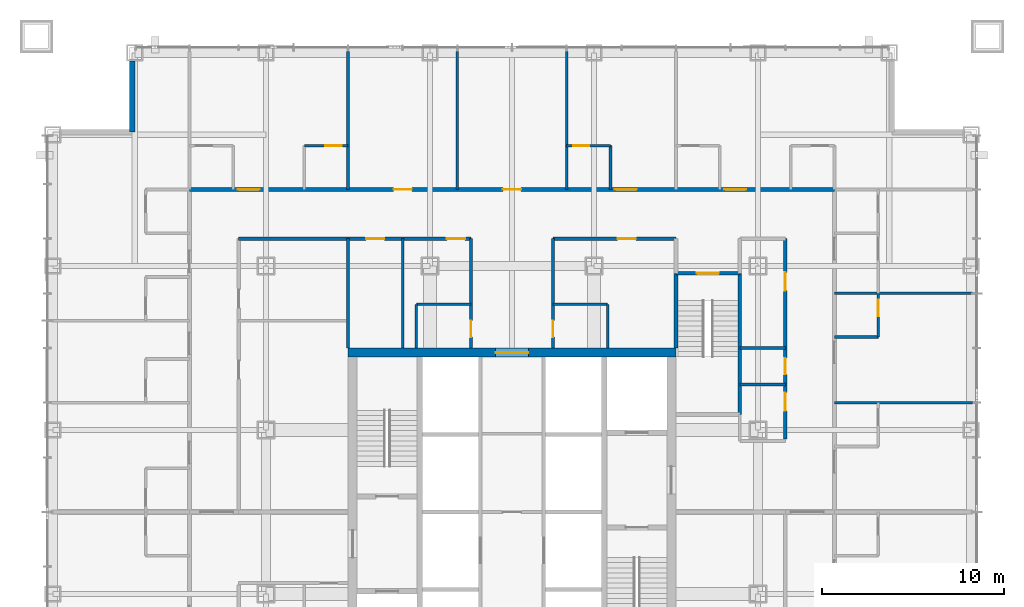
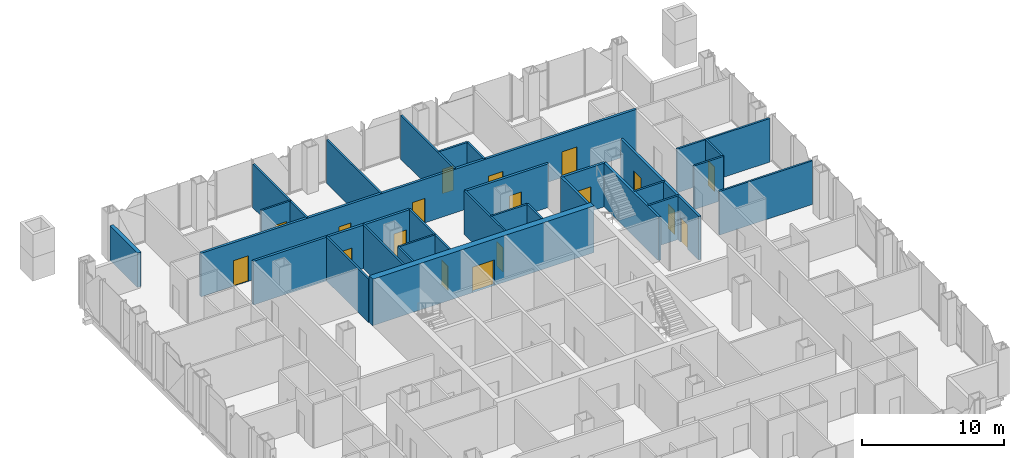
# One storey, part 11 of 23: 29 walls, 18 doors, 18 openings.
"""IFC4 building model written with IfcOpenShell, lengths in metres."""

from ifc_helpers import new_model, si_unit, direction, frame, frame_2d, origin, place, context, subcontext, project, spatial, rectangle, extrude, material, layer, layer_set, type_object, element, fill, save


model = new_model("IFC4")

# Units and contexts
model_context = context("Model", 3, precision=1e-05, world=origin(), true_north=direction((0.0, 1.0)))
body_context = subcontext(model_context, "Body", "Model", "MODEL_VIEW")
ifc_project = project(units=[si_unit("LENGTHUNIT", "METRE"), si_unit("AREAUNIT", "SQUARE_METRE"), si_unit("VOLUMEUNIT", "CUBIC_METRE"), si_unit("PLANEANGLEUNIT", "RADIAN"), si_unit("MASSUNIT", "GRAM", prefix="KILO")], contexts=[model_context])

# Site, building, storey
site_placement = place(None, origin())
site = spatial("IfcSite", under=ifc_project, at=site_placement, CompositionType="ELEMENT")
building_placement = place(site_placement, origin())
building = spatial("IfcBuilding", under=site, at=building_placement, Name="Malebo Sky Hospital", CompositionType="ELEMENT")
storey_placement = place(building_placement, frame((0.0, 0.0, 91.0)))
storey = spatial("IfcBuildingStorey", under=building, at=storey_placement, Name="L21", CompositionType="ELEMENT", Elevation=91.0)

# Wall, opening, door
ifc_material_1 = material(Name="Concrete C80/95", Category="concrete")
ifc_layer_1 = layer(ifc_material_1, 0.5)
ifc_layer_set_1 = layer_set([ifc_layer_1], Name="CORE WALL 500")
wall_type_1 = type_object("IfcWallType", Name="CORE WALL 500", PredefinedType="SHEAR", material=ifc_layer_set_1)
wall_1_placement = place(storey_placement, frame((51.0, 70.75, 0.0), z_axis=(0.0, 0.0, 1.0), x_axis=(1.0, 0.0, 0.0)))
wall_1 = element("IfcWall", 1, at=wall_1_placement, inside=storey, type_object=wall_type_1, Name="Core wall N L21", PredefinedType="SHEAR", context=body_context, shape_type="SweptSolid", body=[
    extrude(rectangle(XDim=18.0, YDim=0.5, at=frame_2d((9.0, 0.0))), origin(), (0.0, 0.0, 1.0), 4.0),
])
opening_1_placement = place(wall_1_placement, frame((8.10009765625, 0.0, 0.0)))
opening_1 = element("IfcOpeningElement", 2, at=opening_1_placement, cuts=wall_1, Name="Opening D06", PredefinedType="OPENING", context=body_context, shape_type="SweptSolid", body=[
    extrude(rectangle(XDim=1.800048828125, YDim=2.199951171875, at=frame_2d((0.89990234375, 1.10009765625))), frame((0.0, 0.260009765625, 0.0), z_axis=(0.0, -1.0, 0.0), x_axis=(1.0, 0.0, 0.0)), (0.0, 0.0, 1.0), 0.52001953125),
])
ifc_material_2 = material(Name="Hardwood-faced door leaf in steel frame", Category="steel")
door_type_1 = type_object("IfcDoorType", Name="LOBBY DOOR PAIR 1800", OperationType="DOUBLE_DOOR_SINGLE_SWING", PredefinedType="DOOR", material=ifc_material_2)
door_1_placement = place(opening_1_placement, origin())
door_1 = element("IfcDoor", 3, at=door_1_placement, inside=storey, type_object=door_type_1, Name="ward pantry door north", OperationType="DOUBLE_DOOR_SINGLE_SWING", OverallHeight=2.199951171875, OverallWidth=1.800048828125, PredefinedType="DOOR", context=body_context, shape_type="SweptSolid", body=[
    extrude(rectangle(XDim=1.800048828125, YDim=2.199951171875, at=frame_2d((0.89990234375, 1.10009765625))), frame((0.0, 0.02490234375, 0.0), z_axis=(0.0, -1.0, 0.0), x_axis=(1.0, 0.0, 0.0)), (0.0, 0.0, 1.0), 0.050048828125),
])
fill(opening_1, door_1)

# Wall, openings, doors
ifc_material_3 = material(Name="Gypsum board on steel studs", Category="steel")
ifc_layer_2 = layer(ifc_material_3, 0.199951171875)
ifc_layer_set_2 = layer_set([ifc_layer_2], Name="CORRIDOR WALL 200")
wall_type_2 = type_object("IfcWallType", Name="CORRIDOR WALL 200", PredefinedType="PARTITIONING", material=ifc_layer_set_2)
wall_2_placement = place(storey_placement, frame((42.300048828125, 79.699951171875, 0.0), z_axis=(0.0, 0.0, 1.0), x_axis=(1.0, 0.0, 0.0)))
wall_2 = element("IfcWall", 4, at=wall_2_placement, inside=storey, type_object=wall_type_2, Name="Corridor Wall 200 NCO", PredefinedType="PARTITIONING", context=body_context, shape_type="SweptSolid", body=[
    extrude(rectangle(XDim=35.39990234375, YDim=0.199951171875, at=frame_2d((17.699951171875, 0.0))), origin(), (0.0, 0.0, 1.0), 3.75),
])
opening_2_placement = place(wall_2_placement, frame((2.64990234375, 0.0, 0.0)))
opening_2 = element("IfcOpeningElement", 5, at=opening_2_placement, cuts=wall_2, Name="Opening D01", PredefinedType="OPENING", context=body_context, shape_type="SweptSolid", body=[
    extrude(rectangle(XDim=1.199951171875, YDim=2.199951171875, at=frame_2d((0.60009765625, 1.10009765625))), frame((0.0, 0.10986328125, 0.0), z_axis=(0.0, -1.0, 0.0), x_axis=(1.0, 0.0, 0.0)), (0.0, 0.0, 1.0), 0.219970703125),
])
opening_3_placement = place(wall_2_placement, frame((11.199951171875, 0.0, 0.0)))
opening_3 = element("IfcOpeningElement", 6, at=opening_3_placement, cuts=wall_2, Name="Opening D03", PredefinedType="OPENING", context=body_context, shape_type="SweptSolid", body=[
    extrude(rectangle(XDim=1.0, YDim=2.10009765625, at=frame_2d((0.5, 1.050048828125))), frame((0.0, 0.10986328125, 0.0), z_axis=(0.0, -1.0, 0.0), x_axis=(1.0, 0.0, 0.0)), (0.0, 0.0, 1.0), 0.219970703125),
])
opening_4_placement = place(wall_2_placement, frame((17.199951171875, 0.0, 0.0)))
opening_4 = element("IfcOpeningElement", 7, at=opening_4_placement, cuts=wall_2, Name="Opening D03", PredefinedType="OPENING", context=body_context, shape_type="SweptSolid", body=[
    extrude(rectangle(XDim=1.0, YDim=2.10009765625, at=frame_2d((0.5, 1.050048828125))), frame((0.0, 0.10986328125, 0.0), z_axis=(0.0, -1.0, 0.0), x_axis=(1.0, 0.0, 0.0)), (0.0, 0.0, 1.0), 0.219970703125),
])
opening_5_placement = place(wall_2_placement, frame((23.35009765625, 0.0, 0.0)))
opening_5 = element("IfcOpeningElement", 8, at=opening_5_placement, cuts=wall_2, Name="Opening D01", PredefinedType="OPENING", context=body_context, shape_type="SweptSolid", body=[
    extrude(rectangle(XDim=1.199951171875, YDim=2.199951171875, at=frame_2d((0.60009765625, 1.10009765625))), frame((0.0, 0.10986328125, 0.0), z_axis=(0.0, -1.0, 0.0), x_axis=(1.0, 0.0, 0.0)), (0.0, 0.0, 1.0), 0.219970703125),
])
opening_6_placement = place(wall_2_placement, frame((29.35009765625, 0.0, 0.0)))
opening_6 = element("IfcOpeningElement", 9, at=opening_6_placement, cuts=wall_2, Name="Opening D01", PredefinedType="OPENING", context=body_context, shape_type="SweptSolid", body=[
    extrude(rectangle(XDim=1.199951171875, YDim=2.199951171875, at=frame_2d((0.60009765625, 1.10009765625))), frame((0.0, 0.10986328125, 0.0), z_axis=(0.0, -1.0, 0.0), x_axis=(1.0, 0.0, 0.0)), (0.0, 0.0, 1.0), 0.219970703125),
])
door_type_2 = type_object("IfcDoorType", Name="BED DOOR 1200", OperationType="SINGLE_SWING_LEFT", PredefinedType="DOOR", material=ifc_material_2)
door_2_placement = place(opening_2_placement, origin())
door_2 = element("IfcDoor", 10, at=door_2_placement, inside=storey, type_object=door_type_2, Name="Four-bed bay door", OperationType="SINGLE_SWING_LEFT", OverallHeight=2.199951171875, OverallWidth=1.199951171875, PredefinedType="DOOR", context=body_context, shape_type="SweptSolid", body=[
    extrude(rectangle(XDim=1.199951171875, YDim=2.199951171875, at=frame_2d((0.60009765625, 1.10009765625))), frame((0.0, 0.02490234375, 0.0), z_axis=(0.0, -1.0, 0.0), x_axis=(1.0, 0.0, 0.0)), (0.0, 0.0, 1.0), 0.050048828125),
])
fill(opening_2, door_2)
door_3_placement = place(opening_5_placement, origin())
door_3 = element("IfcDoor", 11, at=door_3_placement, inside=storey, type_object=door_type_2, Name="Two-bed room door", OperationType="SINGLE_SWING_LEFT", OverallHeight=2.199951171875, OverallWidth=1.199951171875, PredefinedType="DOOR", context=body_context, shape_type="SweptSolid", body=[
    extrude(rectangle(XDim=1.199951171875, YDim=2.199951171875, at=frame_2d((0.60009765625, 1.10009765625))), frame((0.0, 0.02490234375, 0.0), z_axis=(0.0, -1.0, 0.0), x_axis=(1.0, 0.0, 0.0)), (0.0, 0.0, 1.0), 0.050048828125),
])
fill(opening_5, door_3)
door_4_placement = place(opening_6_placement, origin())
door_4 = element("IfcDoor", 12, at=door_4_placement, inside=storey, type_object=door_type_2, Name="Four-bed bay door", OperationType="SINGLE_SWING_LEFT", OverallHeight=2.199951171875, OverallWidth=1.199951171875, PredefinedType="DOOR", context=body_context, shape_type="SweptSolid", body=[
    extrude(rectangle(XDim=1.199951171875, YDim=2.199951171875, at=frame_2d((0.60009765625, 1.10009765625))), frame((0.0, 0.02490234375, 0.0), z_axis=(0.0, -1.0, 0.0), x_axis=(1.0, 0.0, 0.0)), (0.0, 0.0, 1.0), 0.050048828125),
])
fill(opening_6, door_4)
door_type_3 = type_object("IfcDoorType", Name="ROOM DOOR 1000", OperationType="SINGLE_SWING_LEFT", PredefinedType="DOOR", material=ifc_material_2)
door_5_placement = place(opening_3_placement, origin())
door_5 = element("IfcDoor", 13, at=door_5_placement, inside=storey, type_object=door_type_3, Name="Family room door", OperationType="SINGLE_SWING_LEFT", OverallHeight=2.10009765625, OverallWidth=1.0, PredefinedType="DOOR", context=body_context, shape_type="SweptSolid", body=[
    extrude(rectangle(XDim=1.0, YDim=2.10009765625, at=frame_2d((0.5, 1.050048828125))), frame((0.0, 0.02490234375, 0.0), z_axis=(0.0, -1.0, 0.0), x_axis=(1.0, 0.0, 0.0)), (0.0, 0.0, 1.0), 0.050048828125),
])
fill(opening_3, door_5)
door_6_placement = place(opening_4_placement, origin())
door_6 = element("IfcDoor", 14, at=door_6_placement, inside=storey, type_object=door_type_3, Name="Quiet room door", OperationType="SINGLE_SWING_LEFT", OverallHeight=2.10009765625, OverallWidth=1.0, PredefinedType="DOOR", context=body_context, shape_type="SweptSolid", body=[
    extrude(rectangle(XDim=1.0, YDim=2.10009765625, at=frame_2d((0.5, 1.050048828125))), frame((0.0, 0.02490234375, 0.0), z_axis=(0.0, -1.0, 0.0), x_axis=(1.0, 0.0, 0.0)), (0.0, 0.0, 1.0), 0.050048828125),
])
fill(opening_4, door_6)

wall_3_placement = place(storey_placement, frame((45.0, 77.0, 0.0), z_axis=(0.0, 0.0, 1.0), x_axis=(1.0, 0.0, 0.0)))
wall_3 = element("IfcWall", 15, at=wall_3_placement, inside=storey, type_object=wall_type_2, Name="Corridor Wall 200 NCI1", PredefinedType="PARTITIONING", context=body_context, shape_type="SweptSolid", body=[
    extrude(rectangle(XDim=12.75, YDim=0.199951171875, at=frame_2d((6.375, 0.0))), origin(), (0.0, 0.0, 1.0), 3.75),
])
opening_7_placement = place(wall_3_placement, frame((7.0, 0.0, 0.0)))
opening_7 = element("IfcOpeningElement", 16, at=opening_7_placement, cuts=wall_3, Name="Opening D03", PredefinedType="OPENING", context=body_context, shape_type="SweptSolid", body=[
    extrude(rectangle(XDim=1.0, YDim=2.10009765625, at=frame_2d((0.5, 1.050048828125))), frame((0.0, 0.10986328125, 0.0), z_axis=(0.0, -1.0, 0.0), x_axis=(1.0, 0.0, 0.0)), (0.0, 0.0, 1.0), 0.219970703125),
])
opening_8_placement = place(wall_3_placement, frame((11.425048828125, 0.0, 0.0)))
opening_8 = element("IfcOpeningElement", 17, at=opening_8_placement, cuts=wall_3, Name="Opening D03", PredefinedType="OPENING", context=body_context, shape_type="SweptSolid", body=[
    extrude(rectangle(XDim=1.0, YDim=2.10009765625, at=frame_2d((0.5, 1.050048828125))), frame((0.0, 0.10986328125, 0.0), z_axis=(0.0, -1.0, 0.0), x_axis=(1.0, 0.0, 0.0)), (0.0, 0.0, 1.0), 0.219970703125),
])
door_7_placement = place(opening_7_placement, origin())
door_7 = element("IfcDoor", 18, at=door_7_placement, inside=storey, type_object=door_type_3, Name="Wheelchair store door", OperationType="SINGLE_SWING_LEFT", OverallHeight=2.10009765625, OverallWidth=1.0, PredefinedType="DOOR", context=body_context, shape_type="SweptSolid", body=[
    extrude(rectangle(XDim=1.0, YDim=2.10009765625, at=frame_2d((0.5, 1.050048828125))), frame((0.0, 0.02490234375, 0.0), z_axis=(0.0, -1.0, 0.0), x_axis=(1.0, 0.0, 0.0)), (0.0, 0.0, 1.0), 0.050048828125),
])
fill(opening_7, door_7)
door_8_placement = place(opening_8_placement, origin())
door_8 = element("IfcDoor", 19, at=door_8_placement, inside=storey, type_object=door_type_3, Name="Ward office door", OperationType="SINGLE_SWING_RIGHT", OverallHeight=2.10009765625, OverallWidth=1.0, PredefinedType="DOOR", context=body_context, shape_type="SweptSolid", body=[
    extrude(rectangle(XDim=1.0, YDim=2.10009765625, at=frame_2d((0.5, 1.050048828125))), frame((0.0, 0.02490234375, 0.0), z_axis=(0.0, -1.0, 0.0), x_axis=(1.0, 0.0, 0.0)), (0.0, 0.0, 1.0), 0.050048828125),
])
fill(opening_8, door_8)

# Wall, opening, door
wall_4_placement = place(storey_placement, frame((62.25, 77.0, 0.0), z_axis=(0.0, 0.0, 1.0), x_axis=(1.0, 0.0, 0.0)))
wall_4 = element("IfcWall", 20, at=wall_4_placement, inside=storey, type_object=wall_type_2, Name="Corridor Wall 200 NCI2", PredefinedType="PARTITIONING", context=body_context, shape_type="SweptSolid", body=[
    extrude(rectangle(XDim=6.75, YDim=0.199951171875, at=frame_2d((3.375, 0.0))), origin(), (0.0, 0.0, 1.0), 3.75),
])
opening_9_placement = place(wall_4_placement, frame((3.550048828125, 0.0, 0.0)))
opening_9 = element("IfcOpeningElement", 21, at=opening_9_placement, cuts=wall_4, Name="Opening D03", PredefinedType="OPENING", context=body_context, shape_type="SweptSolid", body=[
    extrude(rectangle(XDim=1.0, YDim=2.10009765625, at=frame_2d((0.5, 1.050048828125))), frame((0.0, 0.10986328125, 0.0), z_axis=(0.0, -1.0, 0.0), x_axis=(1.0, 0.0, 0.0)), (0.0, 0.0, 1.0), 0.219970703125),
])
door_9_placement = place(opening_9_placement, origin())
door_9 = element("IfcDoor", 22, at=door_9_placement, inside=storey, type_object=door_type_3, Name="Staff base door", OperationType="SINGLE_SWING_RIGHT", OverallHeight=2.10009765625, OverallWidth=1.0, PredefinedType="DOOR", context=body_context, shape_type="SweptSolid", body=[
    extrude(rectangle(XDim=1.0, YDim=2.10009765625, at=frame_2d((0.5, 1.050048828125))), frame((0.0, 0.02490234375, 0.0), z_axis=(0.0, -1.0, 0.0), x_axis=(1.0, 0.0, 0.0)), (0.0, 0.0, 1.0), 0.050048828125),
])
fill(opening_9, door_9)

# Wall, openings, doors
wall_5_placement = place(storey_placement, frame((75.0, 77.0, 0.0), z_axis=(0.0, 0.0, 1.0), x_axis=(0.0, -1.0, 0.0)))
wall_5 = element("IfcWall", 23, at=wall_5_placement, inside=storey, type_object=wall_type_2, Name="Corridor Wall 200 ECI1", PredefinedType="PARTITIONING", context=body_context, shape_type="SweptSolid", body=[
    extrude(rectangle(XDim=11.0, YDim=0.199951171875, at=frame_2d((5.5, 0.0))), origin(), (0.0, 0.0, 1.0), 3.75),
])
opening_10_placement = place(wall_5_placement, frame((1.85009765625, 0.0, 0.0)))
opening_10 = element("IfcOpeningElement", 24, at=opening_10_placement, cuts=wall_5, Name="Opening D03", PredefinedType="OPENING", context=body_context, shape_type="SweptSolid", body=[
    extrude(rectangle(XDim=1.0, YDim=2.10009765625, at=frame_2d((0.5, 1.050048828125))), frame((0.0, 0.10986328125, 0.0), z_axis=(0.0, -1.0, 0.0), x_axis=(1.0, 0.0, 0.0)), (0.0, 0.0, 1.0), 0.219970703125),
])
opening_11_placement = place(wall_5_placement, frame((6.550048828125, 0.0, 0.0)))
opening_11 = element("IfcOpeningElement", 25, at=opening_11_placement, cuts=wall_5, Name="Opening D04", PredefinedType="OPENING", context=body_context, shape_type="SweptSolid", body=[
    extrude(rectangle(XDim=0.89990234375, YDim=2.10009765625, at=frame_2d((0.449951171875, 1.050048828125))), frame((0.0, 0.10986328125, 0.0), z_axis=(0.0, -1.0, 0.0), x_axis=(1.0, 0.0, 0.0)), (0.0, 0.0, 1.0), 0.219970703125),
])
opening_12_placement = place(wall_5_placement, frame((8.449951171875, 0.0, 0.0)))
opening_12 = element("IfcOpeningElement", 26, at=opening_12_placement, cuts=wall_5, Name="Opening D03", PredefinedType="OPENING", context=body_context, shape_type="SweptSolid", body=[
    extrude(rectangle(XDim=1.0, YDim=2.10009765625, at=frame_2d((0.5, 1.050048828125))), frame((0.0, 0.10986328125, 0.0), z_axis=(0.0, -1.0, 0.0), x_axis=(1.0, 0.0, 0.0)), (0.0, 0.0, 1.0), 0.219970703125),
])
door_10_placement = place(opening_10_placement, origin())
door_10 = element("IfcDoor", 27, at=door_10_placement, inside=storey, type_object=door_type_3, Name="Treatment room door", OperationType="SINGLE_SWING_LEFT", OverallHeight=2.10009765625, OverallWidth=1.0, PredefinedType="DOOR", context=body_context, shape_type="SweptSolid", body=[
    extrude(rectangle(XDim=1.0, YDim=2.10009765625, at=frame_2d((0.5, 1.050048828125))), frame((0.0, 0.02490234375, 0.0), z_axis=(0.0, -1.0, 0.0), x_axis=(1.0, 0.0, 0.0)), (0.0, 0.0, 1.0), 0.050048828125),
])
fill(opening_10, door_10)
door_11_placement = place(opening_12_placement, origin())
door_11 = element("IfcDoor", 28, at=door_11_placement, inside=storey, type_object=door_type_3, Name="Dirty utility room door", OperationType="SINGLE_SWING_LEFT", OverallHeight=2.10009765625, OverallWidth=1.0, PredefinedType="DOOR", context=body_context, shape_type="SweptSolid", body=[
    extrude(rectangle(XDim=1.0, YDim=2.10009765625, at=frame_2d((0.5, 1.050048828125))), frame((0.0, 0.02490234375, 0.0), z_axis=(0.0, -1.0, 0.0), x_axis=(1.0, 0.0, 0.0)), (0.0, 0.0, 1.0), 0.050048828125),
])
fill(opening_12, door_11)
door_type_4 = type_object("IfcDoorType", Name="ROOM DOOR 900", OperationType="SINGLE_SWING_LEFT", PredefinedType="DOOR", material=ifc_material_2)
door_12_placement = place(opening_11_placement, origin())
door_12 = element("IfcDoor", 29, at=door_12_placement, inside=storey, type_object=door_type_4, Name="Linen store door", OperationType="SINGLE_SWING_LEFT", OverallHeight=2.10009765625, OverallWidth=0.89990234375, PredefinedType="DOOR", context=body_context, shape_type="SweptSolid", body=[
    extrude(rectangle(XDim=0.89990234375, YDim=2.10009765625, at=frame_2d((0.449951171875, 1.050048828125))), frame((0.0, 0.02490234375, 0.0), z_axis=(0.0, -1.0, 0.0), x_axis=(1.0, 0.0, 0.0)), (0.0, 0.0, 1.0), 0.050048828125),
])
fill(opening_11, door_12)

# Walls
ifc_material_4 = material(Name="Anodised aluminium rainscreen on steel framing", Category="steel")
ifc_layer_3 = layer(ifc_material_4, 0.300048828125)
ifc_layer_set_3 = layer_set([ifc_layer_3], Name="NOTCH RAINSCREEN WALL 300")
wall_type_3 = type_object("IfcWallType", Name="NOTCH RAINSCREEN WALL 300", PredefinedType="ELEMENTEDWALL", material=ifc_layer_set_3)
wall_6_placement = place(storey_placement, frame((39.14990234375, 82.85009765625, 0.0), z_axis=(0.0, 0.0, 1.0), x_axis=(0.0, 1.0, 0.0)))
element("IfcWall", 30, at=wall_6_placement, inside=storey, type_object=wall_type_3, Name="Notch rainscreen wall W2 L21", PredefinedType="ELEMENTEDWALL", context=body_context, shape_type="SweptSolid", body=[
    extrude(rectangle(XDim=3.89990234375, YDim=0.300048828125, at=frame_2d((1.949951171875, 0.0))), origin(), (0.0, 0.0, 1.0), 2.949951171875),
])
ifc_layer_4 = layer(ifc_material_3, 0.14990234375)
ifc_layer_set_4 = layer_set([ifc_layer_4], Name="PARTITION 150")
wall_type_4 = type_object("IfcWallType", Name="PARTITION 150", PredefinedType="PARTITIONING", material=ifc_layer_set_4)
for number, where, z_axis, x_axis, name in (
    (31, (51.0, 79.699951171875, 0.0), (0.0, 0.0, 1.0), (0.0, 1.0, 0.0), "Partition 150 NP-9.0"),
    (32, (57.0, 79.699951171875, 0.0), (0.0, 0.0, 1.0), (0.0, 1.0, 0.0), "Partition 150 NP-3.0"),
    (33, (63.0, 79.699951171875, 0.0), (0.0, 0.0, 1.0), (0.0, 1.0, 0.0), "Partition 150 NP+3.0"),
):
    element("IfcWall", number, at=place(storey_placement, frame(where, z_axis=z_axis, x_axis=x_axis)), inside=storey, type_object=wall_type_4, Name=name, PredefinedType="PARTITIONING", context=body_context, shape_type="SweptSolid", body=[
        extrude(rectangle(XDim=7.574951171875, YDim=0.14990234375, at=frame_2d((3.78759765625, 0.0))), origin(), (0.0, 0.0, 1.0), 3.75),
    ])

# Wall, opening, door
wall_7_placement = place(storey_placement, frame((48.60009765625, 82.10009765625, 0.0), z_axis=(0.0, 0.0, 1.0), x_axis=(1.0, 0.0, 0.0)))
wall_7 = element("IfcWall", 34, at=wall_7_placement, inside=storey, type_object=wall_type_4, Name="Partition 150 NG0F", PredefinedType="PARTITIONING", context=body_context, shape_type="SweptSolid", body=[
    extrude(rectangle(XDim=2.39990234375, YDim=0.14990234375, at=frame_2d((1.199951171875, 0.0))), origin(), (0.0, 0.0, 1.0), 3.75),
])
opening_13_placement = place(wall_7_placement, frame((1.14990234375, 0.0, 0.0)))
opening_13 = element("IfcOpeningElement", 35, at=opening_13_placement, cuts=wall_7, Name="Opening D02", PredefinedType="OPENING", context=body_context, shape_type="SweptSolid", body=[
    extrude(rectangle(XDim=0.89990234375, YDim=2.10009765625, at=frame_2d((0.449951171875, 1.050048828125))), frame((0.0, 0.0849609375, 0.0), z_axis=(0.0, -1.0, 0.0), x_axis=(1.0, 0.0, 0.0)), (0.0, 0.0, 1.0), 0.169921875),
])
door_type_5 = type_object("IfcDoorType", Name="EN-SUITE DOOR 900", OperationType="SINGLE_SWING_LEFT", PredefinedType="DOOR", material=ifc_material_2)
door_13_placement = place(opening_13_placement, origin())
door_13 = element("IfcDoor", 36, at=door_13_placement, inside=storey, type_object=door_type_5, Name="En-suite door", OperationType="SINGLE_SWING_RIGHT", OverallHeight=2.10009765625, OverallWidth=0.89990234375, PredefinedType="DOOR", context=body_context, shape_type="SweptSolid", body=[
    extrude(rectangle(XDim=0.89990234375, YDim=2.10009765625, at=frame_2d((0.449951171875, 1.050048828125))), frame((0.0, 0.02490234375, 0.0), z_axis=(0.0, -1.0, 0.0), x_axis=(1.0, 0.0, 0.0)), (0.0, 0.0, 1.0), 0.050048828125),
])
fill(opening_13, door_13)

wall_8_placement = place(storey_placement, frame((63.0, 82.10009765625, 0.0), z_axis=(0.0, 0.0, 1.0), x_axis=(1.0, 0.0, 0.0)))
wall_8 = element("IfcWall", 37, at=wall_8_placement, inside=storey, type_object=wall_type_4, Name="Partition 150 NE3F", PredefinedType="PARTITIONING", context=body_context, shape_type="SweptSolid", body=[
    extrude(rectangle(XDim=2.39990234375, YDim=0.14990234375, at=frame_2d((1.199951171875, 0.0))), origin(), (0.0, 0.0, 1.0), 3.75),
])
opening_14_placement = place(wall_8_placement, frame((0.35009765625, 0.0, 0.0)))
opening_14 = element("IfcOpeningElement", 38, at=opening_14_placement, cuts=wall_8, Name="Opening D02", PredefinedType="OPENING", context=body_context, shape_type="SweptSolid", body=[
    extrude(rectangle(XDim=0.89990234375, YDim=2.10009765625, at=frame_2d((0.449951171875, 1.050048828125))), frame((0.0, 0.0849609375, 0.0), z_axis=(0.0, -1.0, 0.0), x_axis=(1.0, 0.0, 0.0)), (0.0, 0.0, 1.0), 0.169921875),
])
door_14_placement = place(opening_14_placement, origin())
door_14 = element("IfcDoor", 39, at=door_14_placement, inside=storey, type_object=door_type_5, Name="En-suite door", OperationType="SINGLE_SWING_LEFT", OverallHeight=2.10009765625, OverallWidth=0.89990234375, PredefinedType="DOOR", context=body_context, shape_type="SweptSolid", body=[
    extrude(rectangle(XDim=0.89990234375, YDim=2.10009765625, at=frame_2d((0.449951171875, 1.050048828125))), frame((0.0, 0.02490234375, 0.0), z_axis=(0.0, -1.0, 0.0), x_axis=(1.0, 0.0, 0.0)), (0.0, 0.0, 1.0), 0.050048828125),
])
fill(opening_14, door_14)

# Walls
wall_9_placement = place(storey_placement, frame((65.39990234375, 79.699951171875, 0.0), z_axis=(0.0, 0.0, 1.0), x_axis=(0.0, 1.0, 0.0)))
element("IfcWall", 40, at=wall_9_placement, inside=storey, type_object=wall_type_4, Name="Partition 150 NE3S", PredefinedType="PARTITIONING", context=body_context, shape_type="SweptSolid", body=[
    extrude(rectangle(XDim=2.400146484375, YDim=0.14990234375, at=frame_2d((1.2001953125, 0.0))), origin(), (0.0, 0.0, 1.0), 3.75),
])
wall_10_placement = place(storey_placement, frame((51.0, 71.0, 0.0), z_axis=(0.0, 0.0, 1.0), x_axis=(0.0, 1.0, 0.0)))
element("IfcWall", 41, at=wall_10_placement, inside=storey, type_object=wall_type_4, Name="Partition 150 NSP0", PredefinedType="PARTITIONING", context=body_context, shape_type="SweptSolid", body=[
    extrude(rectangle(XDim=6.0, YDim=0.14990234375, at=frame_2d((3.0, 0.0))), origin(), (0.0, 0.0, 1.0), 3.75),
])

# Wall, opening, door
wall_11_placement = place(storey_placement, frame((57.75, 71.0, 0.0), z_axis=(0.0, 0.0, 1.0), x_axis=(0.0, 1.0, 0.0)))
wall_11 = element("IfcWall", 42, at=wall_11_placement, inside=storey, type_object=wall_type_4, Name="Partition 150 NSPA", PredefinedType="PARTITIONING", context=body_context, shape_type="SweptSolid", body=[
    extrude(rectangle(XDim=6.0, YDim=0.14990234375, at=frame_2d((3.0, 0.0))), origin(), (0.0, 0.0, 1.0), 3.75),
])
opening_15_placement = place(wall_11_placement, frame((0.60009765625, 0.0, 0.0)))
opening_15 = element("IfcOpeningElement", 43, at=opening_15_placement, cuts=wall_11, Name="Opening D04", PredefinedType="OPENING", context=body_context, shape_type="SweptSolid", body=[
    extrude(rectangle(XDim=0.89990234375, YDim=2.10009765625, at=frame_2d((0.449951171875, 1.050048828125))), frame((0.0, 0.0849609375, 0.0), z_axis=(0.0, -1.0, 0.0), x_axis=(1.0, 0.0, 0.0)), (0.0, 0.0, 1.0), 0.169921875),
])
door_15_placement = place(opening_15_placement, origin())
door_15 = element("IfcDoor", 44, at=door_15_placement, inside=storey, type_object=door_type_4, Name="Staff WC door", OperationType="SINGLE_SWING_LEFT", OverallHeight=2.10009765625, OverallWidth=0.89990234375, PredefinedType="DOOR", context=body_context, shape_type="SweptSolid", body=[
    extrude(rectangle(XDim=0.89990234375, YDim=2.10009765625, at=frame_2d((0.449951171875, 1.050048828125))), frame((0.0, 0.02490234375, 0.0), z_axis=(0.0, -1.0, 0.0), x_axis=(1.0, 0.0, 0.0)), (0.0, 0.0, 1.0), 0.050048828125),
])
fill(opening_15, door_15)

wall_12_placement = place(storey_placement, frame((62.25, 71.0, 0.0), z_axis=(0.0, 0.0, 1.0), x_axis=(0.0, 1.0, 0.0)))
wall_12 = element("IfcWall", 45, at=wall_12_placement, inside=storey, type_object=wall_type_4, Name="Partition 150 NSPB", PredefinedType="PARTITIONING", context=body_context, shape_type="SweptSolid", body=[
    extrude(rectangle(XDim=6.0, YDim=0.14990234375, at=frame_2d((3.0, 0.0))), origin(), (0.0, 0.0, 1.0), 3.75),
])
opening_16_placement = place(wall_12_placement, frame((0.60009765625, 0.0, 0.0)))
opening_16 = element("IfcOpeningElement", 46, at=opening_16_placement, cuts=wall_12, Name="Opening D04", PredefinedType="OPENING", context=body_context, shape_type="SweptSolid", body=[
    extrude(rectangle(XDim=0.89990234375, YDim=2.10009765625, at=frame_2d((0.449951171875, 1.050048828125))), frame((0.0, 0.0849609375, 0.0), z_axis=(0.0, -1.0, 0.0), x_axis=(1.0, 0.0, 0.0)), (0.0, 0.0, 1.0), 0.169921875),
])
door_16_placement = place(opening_16_placement, origin())
door_16 = element("IfcDoor", 47, at=door_16_placement, inside=storey, type_object=door_type_4, Name="Accessible WC door", OperationType="SINGLE_SWING_LEFT", OverallHeight=2.10009765625, OverallWidth=0.89990234375, PredefinedType="DOOR", context=body_context, shape_type="SweptSolid", body=[
    extrude(rectangle(XDim=0.89990234375, YDim=2.10009765625, at=frame_2d((0.449951171875, 1.050048828125))), frame((0.0, 0.02490234375, 0.0), z_axis=(0.0, -1.0, 0.0), x_axis=(1.0, 0.0, 0.0)), (0.0, 0.0, 1.0), 0.050048828125),
])
fill(opening_16, door_16)

# Walls
wall_13_placement = place(storey_placement, frame((54.0, 71.0, 0.0), z_axis=(0.0, 0.0, 1.0), x_axis=(0.0, 1.0, 0.0)))
element("IfcWall", 48, at=wall_13_placement, inside=storey, type_object=wall_type_4, Name="Partition 150 NSP-6.0", PredefinedType="PARTITIONING", context=body_context, shape_type="SweptSolid", body=[
    extrude(rectangle(XDim=6.0, YDim=0.14990234375, at=frame_2d((3.0, 0.0))), origin(), (0.0, 0.0, 1.0), 3.75),
])
wall_14_placement = place(storey_placement, frame((54.75, 73.39990234375, 0.0), z_axis=(0.0, 0.0, 1.0), x_axis=(1.0, 0.0, 0.0)))
element("IfcWall", 49, at=wall_14_placement, inside=storey, type_object=wall_type_4, Name="Partition 150 NSX1", PredefinedType="PARTITIONING", context=body_context, shape_type="SweptSolid", body=[
    extrude(rectangle(XDim=3.0, YDim=0.14990234375, at=frame_2d((1.5, 0.0))), origin(), (0.0, 0.0, 1.0), 3.75),
])
wall_15_placement = place(storey_placement, frame((54.75, 71.0, 0.0), z_axis=(0.0, 0.0, 1.0), x_axis=(0.0, 1.0, 0.0)))
element("IfcWall", 50, at=wall_15_placement, inside=storey, type_object=wall_type_4, Name="Partition 150 NSY1", PredefinedType="PARTITIONING", context=body_context, shape_type="SweptSolid", body=[
    extrude(rectangle(XDim=2.39990234375, YDim=0.14990234375, at=frame_2d((1.199951171875, 0.0))), origin(), (0.0, 0.0, 1.0), 3.75),
])
wall_16_placement = place(storey_placement, frame((62.25, 73.39990234375, 0.0), z_axis=(0.0, 0.0, 1.0), x_axis=(1.0, 0.0, 0.0)))
element("IfcWall", 51, at=wall_16_placement, inside=storey, type_object=wall_type_4, Name="Partition 150 NSX2", PredefinedType="PARTITIONING", context=body_context, shape_type="SweptSolid", body=[
    extrude(rectangle(XDim=3.0, YDim=0.14990234375, at=frame_2d((1.5, 0.0))), origin(), (0.0, 0.0, 1.0), 3.75),
])
wall_17_placement = place(storey_placement, frame((65.25, 71.0, 0.0), z_axis=(0.0, 0.0, 1.0), x_axis=(0.0, 1.0, 0.0)))
element("IfcWall", 52, at=wall_17_placement, inside=storey, type_object=wall_type_4, Name="Partition 150 NSY2", PredefinedType="PARTITIONING", context=body_context, shape_type="SweptSolid", body=[
    extrude(rectangle(XDim=2.39990234375, YDim=0.14990234375, at=frame_2d((1.199951171875, 0.0))), origin(), (0.0, 0.0, 1.0), 3.75),
])
for number, where, z_axis, x_axis, name in (
    (53, (77.699951171875, 74.0, 0.0), (0.0, 0.0, 1.0), (1.0, 0.0, 0.0), "Partition 150 EP-12.0"),
    (54, (77.699951171875, 68.0, 0.0), (0.0, 0.0, 1.0), (1.0, 0.0, 0.0), "Partition 150 EP-6.0"),
):
    element("IfcWall", number, at=place(storey_placement, frame(where, z_axis=z_axis, x_axis=x_axis)), inside=storey, type_object=wall_type_4, Name=name, PredefinedType="PARTITIONING", context=body_context, shape_type="SweptSolid", body=[
        extrude(rectangle(XDim=7.574951171875, YDim=0.14990234375, at=frame_2d((3.78759765625, 0.0))), origin(), (0.0, 0.0, 1.0), 3.75),
    ])

# Wall, opening, door
wall_18_placement = place(storey_placement, frame((80.10009765625, 74.0, 0.0), z_axis=(0.0, 0.0, 1.0), x_axis=(0.0, -1.0, 0.0)))
wall_18 = element("IfcWall", 55, at=wall_18_placement, inside=storey, type_object=wall_type_4, Name="Partition 150 EE1F", PredefinedType="PARTITIONING", context=body_context, shape_type="SweptSolid", body=[
    extrude(rectangle(XDim=2.39990234375, YDim=0.14990234375, at=frame_2d((1.199951171875, 0.0))), origin(), (0.0, 0.0, 1.0), 3.75),
])
opening_17_placement = place(wall_18_placement, frame((0.35009765625, 0.0, 0.0)))
opening_17 = element("IfcOpeningElement", 56, at=opening_17_placement, cuts=wall_18, Name="Opening D02", PredefinedType="OPENING", context=body_context, shape_type="SweptSolid", body=[
    extrude(rectangle(XDim=0.89990234375, YDim=2.10009765625, at=frame_2d((0.449951171875, 1.050048828125))), frame((0.0, 0.0849609375, 0.0), z_axis=(0.0, -1.0, 0.0), x_axis=(1.0, 0.0, 0.0)), (0.0, 0.0, 1.0), 0.169921875),
])
door_17_placement = place(opening_17_placement, origin())
door_17 = element("IfcDoor", 57, at=door_17_placement, inside=storey, type_object=door_type_5, Name="En-suite door", OperationType="SINGLE_SWING_LEFT", OverallHeight=2.10009765625, OverallWidth=0.89990234375, PredefinedType="DOOR", context=body_context, shape_type="SweptSolid", body=[
    extrude(rectangle(XDim=0.89990234375, YDim=2.10009765625, at=frame_2d((0.449951171875, 1.050048828125))), frame((0.0, 0.02490234375, 0.0), z_axis=(0.0, -1.0, 0.0), x_axis=(1.0, 0.0, 0.0)), (0.0, 0.0, 1.0), 0.050048828125),
])
fill(opening_17, door_17)

# Walls
wall_19_placement = place(storey_placement, frame((77.699951171875, 71.60009765625, 0.0), z_axis=(0.0, 0.0, 1.0), x_axis=(1.0, 0.0, 0.0)))
element("IfcWall", 58, at=wall_19_placement, inside=storey, type_object=wall_type_4, Name="Partition 150 EE1S", PredefinedType="PARTITIONING", context=body_context, shape_type="SweptSolid", body=[
    extrude(rectangle(XDim=2.400146484375, YDim=0.14990234375, at=frame_2d((1.2001953125, 0.0))), origin(), (0.0, 0.0, 1.0), 3.75),
])
for number, where, z_axis, x_axis, name in (
    (59, (72.5, 71.0, 0.0), (0.0, 0.0, 1.0), (1.0, 0.0, 0.0), "Partition 150 ESP0"),
    (60, (72.5, 69.0, 0.0), (0.0, 0.0, 1.0), (1.0, 0.0, 0.0), "Partition 150 ESP-7.0"),
):
    element("IfcWall", number, at=place(storey_placement, frame(where, z_axis=z_axis, x_axis=x_axis)), inside=storey, type_object=wall_type_4, Name=name, PredefinedType="PARTITIONING", context=body_context, shape_type="SweptSolid", body=[
        extrude(rectangle(XDim=2.5, YDim=0.14990234375, at=frame_2d((1.25, 0.0))), origin(), (0.0, 0.0, 1.0), 3.75),
    ])
ifc_material_5 = material(Name="Concrete C40/50", Category="concrete")
ifc_layer_5 = layer(ifc_material_5, 0.199951171875)
ifc_layer_set_5 = layer_set([ifc_layer_5], Name="STAIR ENCLOSURE WALL 200")
wall_type_5 = type_object("IfcWallType", Name="STAIR ENCLOSURE WALL 200", PredefinedType="SOLIDWALL", material=ifc_layer_set_5)
wall_20_placement = place(storey_placement, frame((69.0, 71.0, 0.0), z_axis=(0.0, 0.0, 1.0), x_axis=(0.0, 1.0, 0.0)))
element("IfcWall", 61, at=wall_20_placement, inside=storey, type_object=wall_type_5, Name="Stair Enclosure Wall 200 ST3W", PredefinedType="SOLIDWALL", context=body_context, shape_type="SweptSolid", body=[
    extrude(rectangle(XDim=4.10009765625, YDim=0.199951171875, at=frame_2d((2.050048828125, 0.0))), origin(), (0.0, 0.0, 1.0), 3.75),
])
wall_21_placement = place(storey_placement, frame((72.5, 67.35009765625, 0.0), z_axis=(0.0, 0.0, 1.0), x_axis=(0.0, 1.0, 0.0)))
element("IfcWall", 62, at=wall_21_placement, inside=storey, type_object=wall_type_5, Name="Stair Enclosure Wall 200 ST3E", PredefinedType="SOLIDWALL", context=body_context, shape_type="SweptSolid", body=[
    extrude(rectangle(XDim=7.75, YDim=0.199951171875, at=frame_2d((3.875, 0.0))), origin(), (0.0, 0.0, 1.0), 3.75),
])

# Wall, opening, door
wall_22_placement = place(storey_placement, frame((69.0, 75.10009765625, 0.0), z_axis=(0.0, 0.0, 1.0), x_axis=(1.0, 0.0, 0.0)))
wall_22 = element("IfcWall", 63, at=wall_22_placement, inside=storey, type_object=wall_type_5, Name="Stair Enclosure Wall 200 ST3N", PredefinedType="SOLIDWALL", context=body_context, shape_type="SweptSolid", body=[
    extrude(rectangle(XDim=3.5, YDim=0.199951171875, at=frame_2d((1.75, 0.0))), origin(), (0.0, 0.0, 1.0), 3.75),
])
opening_18_placement = place(wall_22_placement, frame((1.14990234375, 0.0, 0.0)))
opening_18 = element("IfcOpeningElement", 64, at=opening_18_placement, cuts=wall_22, Name="Opening D08", PredefinedType="OPENING", context=body_context, shape_type="SweptSolid", body=[
    extrude(rectangle(XDim=1.199951171875, YDim=2.10009765625, at=frame_2d((0.60009765625, 1.050048828125))), frame((0.0, 0.10986328125, 0.0), z_axis=(0.0, -1.0, 0.0), x_axis=(1.0, 0.0, 0.0)), (0.0, 0.0, 1.0), 0.219970703125),
])
door_type_6 = type_object("IfcDoorType", Name="STAIR DOOR 1200", OperationType="SINGLE_SWING_LEFT", PredefinedType="DOOR", material=ifc_material_2)
door_18_placement = place(opening_18_placement, origin())
door_18 = element("IfcDoor", 65, at=door_18_placement, inside=storey, type_object=door_type_6, Name="Stair S3 door", OperationType="SINGLE_SWING_LEFT", OverallHeight=2.10009765625, OverallWidth=1.199951171875, PredefinedType="DOOR", context=body_context, shape_type="SweptSolid", body=[
    extrude(rectangle(XDim=1.199951171875, YDim=2.10009765625, at=frame_2d((0.60009765625, 1.050048828125))), frame((0.0, 0.02490234375, 0.0), z_axis=(0.0, -1.0, 0.0), x_axis=(1.0, 0.0, 0.0)), (0.0, 0.0, 1.0), 0.050048828125),
])
fill(opening_18, door_18)

save(model, "model.ifc")
